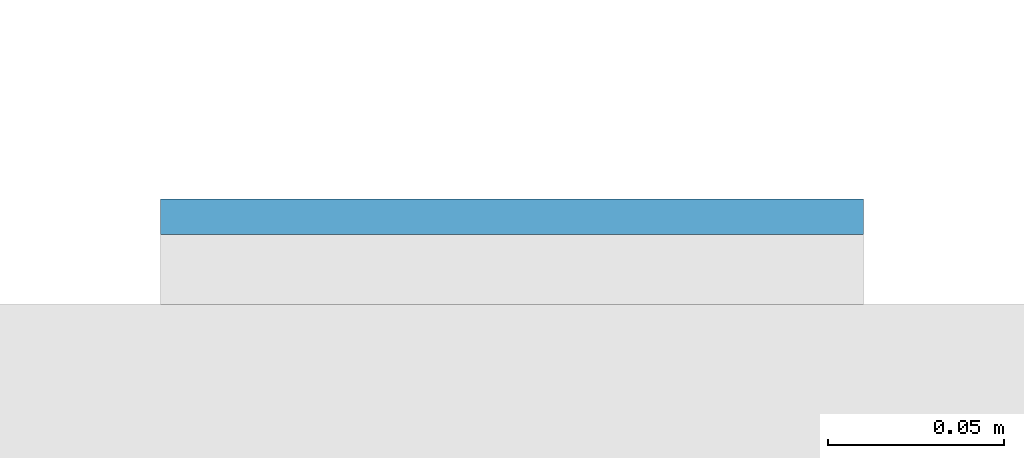
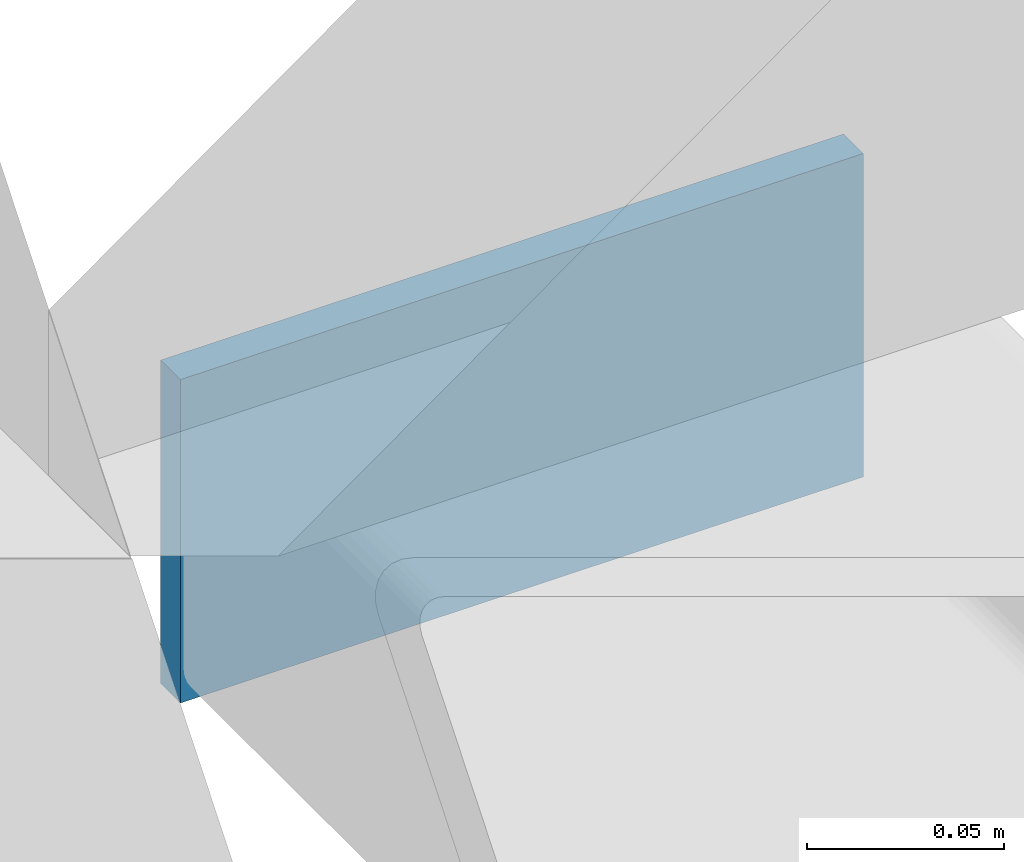
# One storey, part 6 of 12: 1 plate.
"""IFC4 building model written with IfcOpenShell, lengths in metres."""

from ifc_helpers import new_model, si_unit, direction, frame, origin, origin_2d, place, context, subcontext, project, spatial, rectangle, extrude, material, layer, layer_set, type_object, element, save


model = new_model("IFC4")

# Units and contexts
model_context = context("Model", 3, precision=1e-05, world=origin(), true_north=direction((0.0, 1.0)))
body_context = subcontext(model_context, "Body", "Model", "MODEL_VIEW")
ifc_project = project(units=[si_unit("LENGTHUNIT", "METRE"), si_unit("AREAUNIT", "SQUARE_METRE"), si_unit("VOLUMEUNIT", "CUBIC_METRE"), si_unit("PLANEANGLEUNIT", "RADIAN"), si_unit("MASSUNIT", "GRAM", prefix="KILO")], contexts=[model_context])

# Site, building, storey
site_placement = place(None, origin())
site = spatial("IfcSite", under=ifc_project, at=site_placement, CompositionType="ELEMENT")
building_placement = place(site_placement, origin())
building = spatial("IfcBuilding", under=site, at=building_placement, Name="Cleftline Residences", CompositionType="ELEMENT")
storey_placement = place(building_placement, frame((0.0, 0.0, 273.60009765625)))
storey = spatial("IfcBuildingStorey", under=building, at=storey_placement, Name="L72", CompositionType="ELEMENT", Elevation=273.60009765625)

# Plate
ifc_material = material(Name="Steel S355, hot-dip galvanised", Category="steel")
ifc_layer = layer(ifc_material, 0.010009765625)
ifc_layer_set = layer_set([ifc_layer], Name="BAGUETTE CARRIER END PLATE 200X100X10")
plate_type = type_object("IfcPlateType", Name="BAGUETTE CARRIER END PLATE 200X100X10", PredefinedType="USERDEFINED", material=ifc_layer_set)
plate_placement = place(storey_placement, frame((66.85009765625, 44.304931640625, -0.10009765625), z_axis=(0.0, 0.0, 1.0), x_axis=(1.0, 0.0, 0.0)))
element("IfcPlate", 1, at=plate_placement, inside=storey, type_object=plate_type, Name="Baguette carrier end plate", ObjectType="BAGUETTE CARRIER END PLATE", PredefinedType="USERDEFINED", context=body_context, shape_type="SweptSolid", body=[
    extrude(rectangle(XDim=0.199951171875, YDim=0.010009765625, at=origin_2d()), origin(), (0.0, 0.0, 1.0), 0.10009765625),
])

save(model, "model.ifc")
